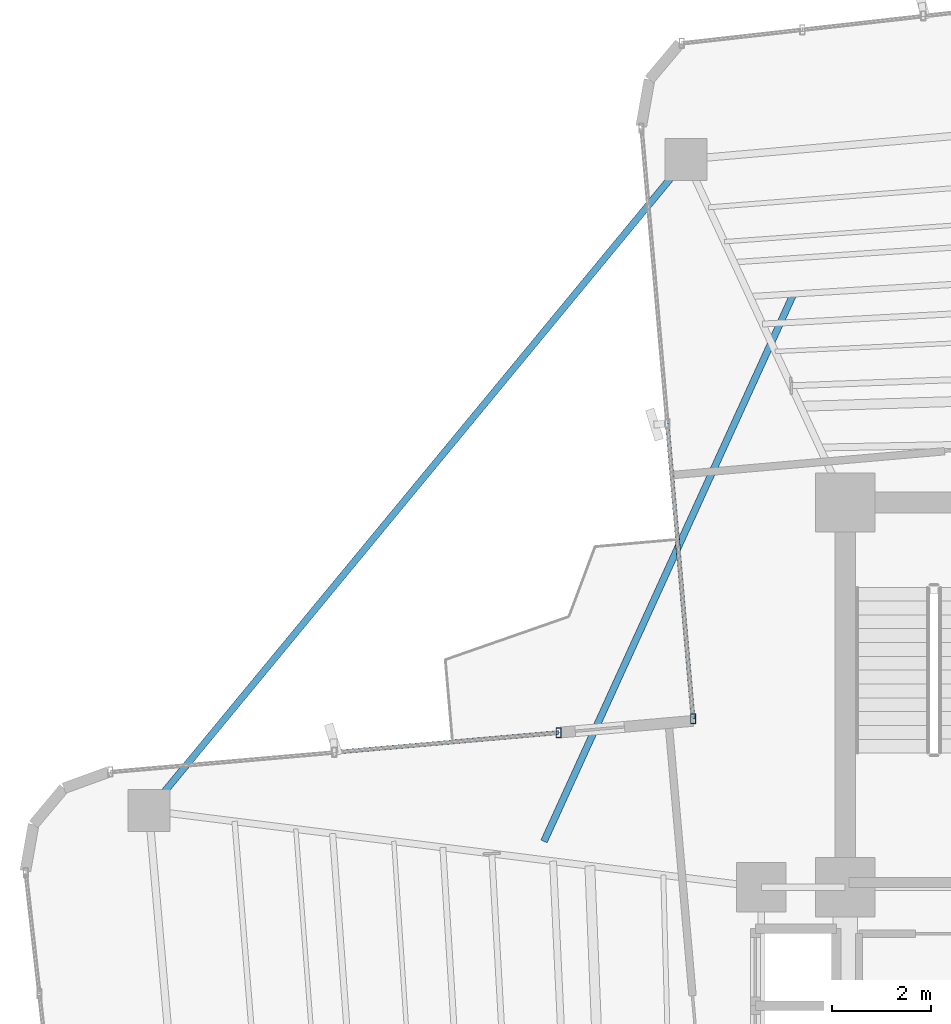
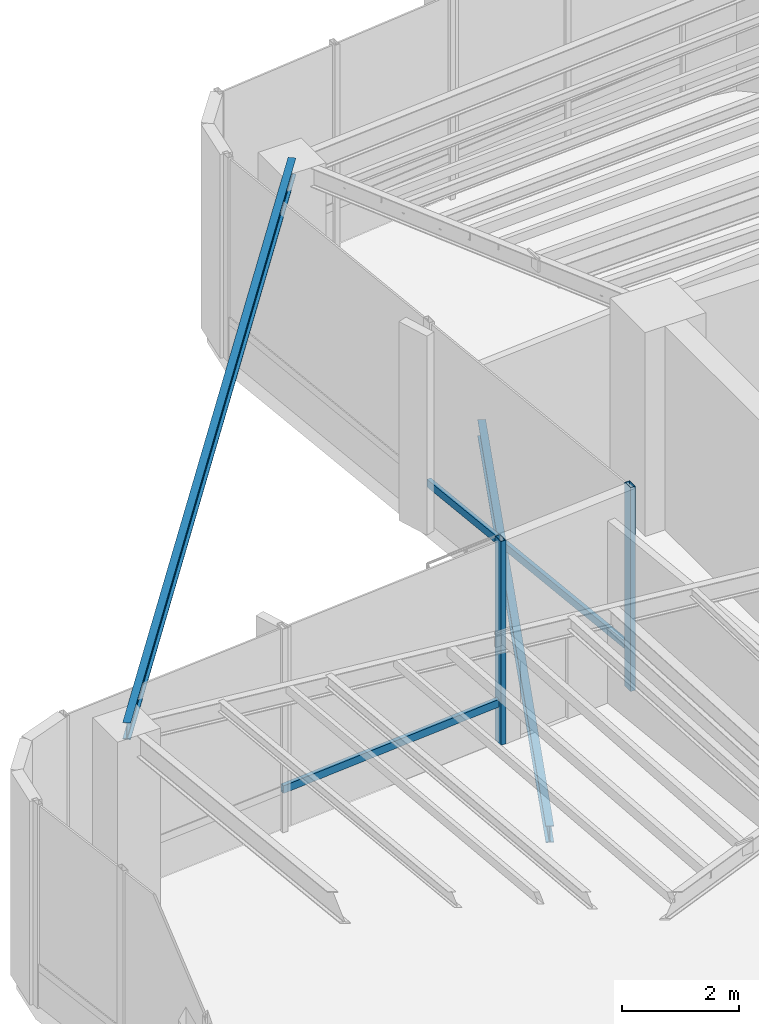
# One storey, part 5 of 19: 4 members, 2 beams, 2 elements without a shape of their own.
"""IFC4 building model written with IfcOpenShell, lengths in metres."""

from ifc_helpers import new_model, si_unit, direction, frame, origin, origin_2d, place, context, subcontext, project, spatial, hollow_rectangle, i_section, extrude, source, transform, mapped, material, material_profile, profile_set, type_object, element, aggregate, save


model = new_model("IFC4")

# Units and contexts
model_context = context("Model", 3, precision=1e-05, world=origin(), true_north=direction((0.0, 1.0)))
body_context = subcontext(model_context, "Body", "Model", "MODEL_VIEW")
ifc_project = project(units=[si_unit("LENGTHUNIT", "METRE"), si_unit("AREAUNIT", "SQUARE_METRE"), si_unit("VOLUMEUNIT", "CUBIC_METRE"), si_unit("PLANEANGLEUNIT", "RADIAN"), si_unit("MASSUNIT", "GRAM", prefix="KILO")], contexts=[model_context])

# Site, building, storey
site_placement = place(None, origin())
site = spatial("IfcSite", under=ifc_project, at=site_placement, CompositionType="ELEMENT")
building_placement = place(site_placement, origin())
building = spatial("IfcBuilding", under=site, at=building_placement, Name="Sahyath Konkavel Grand Hotel", CompositionType="ELEMENT")
storey_placement = place(building_placement, frame((0.0, 0.0, 142.75)))
storey = spatial("IfcBuildingStorey", under=building, at=storey_placement, Name="L39", CompositionType="ELEMENT", Elevation=142.75)

# Beam
ifc_material_1 = material(Name="Steel E350", Category="steel")
ifc_material_profile_1 = material_profile(ifc_material_1, i_section(OverallWidth=0.139892578125, OverallDepth=0.35009765625, WebThickness=0.008056640625, FlangeThickness=0.01416015625, FilletRadius=0.013916015625, at=origin_2d()), Name="ISMB 350")
ifc_profile_set_1 = profile_set([ifc_material_profile_1], Name="Steel E350")
beam_type_1 = type_object("IfcBeamType", Name="BM-ISMB350", PredefinedType="BEAM", material=ifc_profile_set_1)
shared_shape_1 = source(origin(), body_context, "Body", "SweptSolid", [
    extrude(i_section(OverallWidth=0.139892578125, OverallDepth=0.35009765625, WebThickness=0.008056640625, FlangeThickness=0.01416015625, FilletRadius=0.013916015625, at=origin_2d()), origin(), (0.0, 0.0, 1.0), 17.112548828125),
])
beam_1_placement = place(storey_placement, frame((-7.021728515625, 17.1533203125, 4.0849609375), z_axis=(-0.636437070092, -0.77132863023, 0.0), x_axis=(0.77132863023, -0.636437070092, 0.0)))
element("IfcBeam", 1, at=beam_1_placement, inside=storey, type_object=beam_type_1, Name="L39 Re-Entrant Tie Beam NW", PredefinedType="BEAM", context=body_context, shape_type="MappedRepresentation", body=[
    mapped(shared_shape_1, transform((0.0, 0.0, 0.0), scale=1.0)),
])

# Curtain wall, member
ifc_material_2 = material(Name="Anodised Bronze Aluminium & Low-E Glazing", Category="aluminium")
curtain_wall_type = type_object("IfcCurtainWallType", Name="CW-SKYLOBBY", PredefinedType="NOTDEFINED", material=ifc_material_2)
curtain_wall_1_placement = place(storey_placement, origin())
curtain_wall_1 = element("IfcCurtainWall", 2, at=curtain_wall_1_placement, inside=storey, type_object=curtain_wall_type, Name="L39 Unitised Curtain Wall F15", PredefinedType="NOTDEFINED")
ifc_material_3 = material(Name="Anodised Bronze Aluminium", Category="aluminium")
ifc_material_profile_2 = material_profile(ifc_material_3, hollow_rectangle(XDim=0.10009765625, YDim=0.199951171875, WallThickness=0.008056640625, at=origin_2d()), Name="RHS 200x100x8")
ifc_profile_set_2 = profile_set([ifc_material_profile_2], Name="Anodised Bronze Aluminium")
member_type_1 = type_object("IfcMemberType", Name="CW-MUL-200", PredefinedType="MULLION", material=ifc_profile_set_2)
shared_shape_2 = source(origin(), body_context, "Body", "SweptSolid", [
    extrude(hollow_rectangle(XDim=0.10009765625, YDim=0.199951171875, WallThickness=0.008056640625, at=origin_2d()), origin(), (0.0, 0.0, 1.0), 4.260009765625),
])
member_1_placement = place(storey_placement, frame((-6.8828125, 5.812255859375, 0.0), z_axis=(0.0, 0.0, 1.0), x_axis=(1.0, 0.0, 0.0)))
member_1 = element("IfcMember", 3, at=member_1_placement, type_object=member_type_1, Name="L39 Curtain Wall Mullion F15-2", PredefinedType="MULLION", context=body_context, shape_type="MappedRepresentation", body=[
    mapped(shared_shape_2, transform((0.0, 0.0, 0.0), scale=1.0)),
])

curtain_wall_2_placement = place(storey_placement, origin())
curtain_wall_2 = element("IfcCurtainWall", 4, at=curtain_wall_2_placement, inside=storey, type_object=curtain_wall_type, Name="L39 Unitised Curtain Wall F16", PredefinedType="NOTDEFINED")
member_2_placement = place(storey_placement, frame((-9.60888671875, 5.53369140625, 0.0), z_axis=(0.0, 0.0, 1.0), x_axis=(1.0, 0.0, 0.0)))
member_2 = element("IfcMember", 5, at=member_2_placement, type_object=member_type_1, Name="L39 Curtain Wall Mullion F16-0", PredefinedType="MULLION", context=body_context, shape_type="MappedRepresentation", body=[
    mapped(shared_shape_2, transform((0.0, 0.0, 0.0), scale=1.0)),
])

# Beam
ifc_material_profile_3 = material_profile(ifc_material_1, i_section(OverallWidth=0.139892578125, OverallDepth=0.35009765625, WebThickness=0.008056640625, FlangeThickness=0.01416015625, FilletRadius=0.013916015625, at=origin_2d()), Name="ISMB 350")
ifc_profile_set_3 = profile_set([ifc_material_profile_3], Name="Steel E350")
beam_type_2 = type_object("IfcBeamType", Name="BM-BALC-CANT", PredefinedType="BEAM", material=ifc_profile_set_3)
shared_shape_3 = source(origin(), body_context, "Body", "SweptSolid", [
    extrude(i_section(OverallWidth=0.139892578125, OverallDepth=0.35009765625, WebThickness=0.008056640625, FlangeThickness=0.01416015625, FilletRadius=0.013916015625, at=origin_2d()), origin(), (0.0, 0.0, 1.0), 12.190673828125),
])
beam_2_placement = place(storey_placement, frame((-4.8486328125, 14.422119140625, -0.4951171875), z_axis=(-0.414712580086, -0.909952458054, 0.0), x_axis=(0.909952458054, -0.414712580086, 0.0)))
element("IfcBeam", 6, at=beam_2_placement, inside=storey, type_object=beam_type_2, Name="L39 Balcony Cantilever Support Beam NW", PredefinedType="BEAM", context=body_context, shape_type="MappedRepresentation", body=[
    mapped(shared_shape_3, transform((0.0, 0.0, 0.0), scale=1.0)),
])

# Member
ifc_material_profile_4 = material_profile(ifc_material_3, hollow_rectangle(XDim=0.080078125, YDim=0.159912109375, WallThickness=0.006103515625, at=origin_2d()), Name="RHS 160x80x6")
ifc_profile_set_4 = profile_set([ifc_material_profile_4], Name="Anodised Bronze Aluminium")
member_type_2 = type_object("IfcMemberType", Name="CW-TRN-160", PredefinedType="USERDEFINED", material=ifc_profile_set_4)
shared_shape_4 = source(origin(), body_context, "Body", "SweptSolid", [
    extrude(hollow_rectangle(XDim=0.080078125, YDim=0.159912109375, WallThickness=0.006103515625, at=origin_2d()), origin(), (0.0, 0.0, 1.0), 4.56005859375),
])
member_3_placement = place(storey_placement, frame((-9.60888671875, 5.53369140625, 0.85009765625), z_axis=(-0.996189590376, -0.087214104516, 0.0), x_axis=(0.087214104516, -0.996189590376, 0.0)))
member_3 = element("IfcMember", 7, at=member_3_placement, type_object=member_type_2, Name="L39 Curtain Wall Transom F16-0-spandrel", ObjectType="TRANSOM", PredefinedType="USERDEFINED", context=body_context, shape_type="MappedRepresentation", body=[
    mapped(shared_shape_4, transform((0.0, 0.0, 0.0), scale=1.0)),
])

aggregate(curtain_wall_2, [member_2, member_3])

shared_shape_5 = source(origin(), body_context, "Body", "SweptSolid", [
    extrude(hollow_rectangle(XDim=0.080078125, YDim=0.159912109375, WallThickness=0.006103515625, at=origin_2d()), origin(), (0.0, 0.0, 1.0), 6.010009765625),
])
member_4_placement = place(storey_placement, frame((-7.406494140625, 11.79931640625, 0.85009765625), z_axis=(0.087136210597, -0.996196406741, 0.0), x_axis=(0.996196406741, 0.087136210597, 0.0)))
member_4 = element("IfcMember", 8, at=member_4_placement, type_object=member_type_2, Name="L39 Curtain Wall Transom F15-1-spandrel", ObjectType="TRANSOM", PredefinedType="USERDEFINED", context=body_context, shape_type="MappedRepresentation", body=[
    mapped(shared_shape_5, transform((0.0, 0.0, 0.0), scale=1.0)),
])

aggregate(curtain_wall_1, [member_1, member_4])

save(model, "model.ifc")
